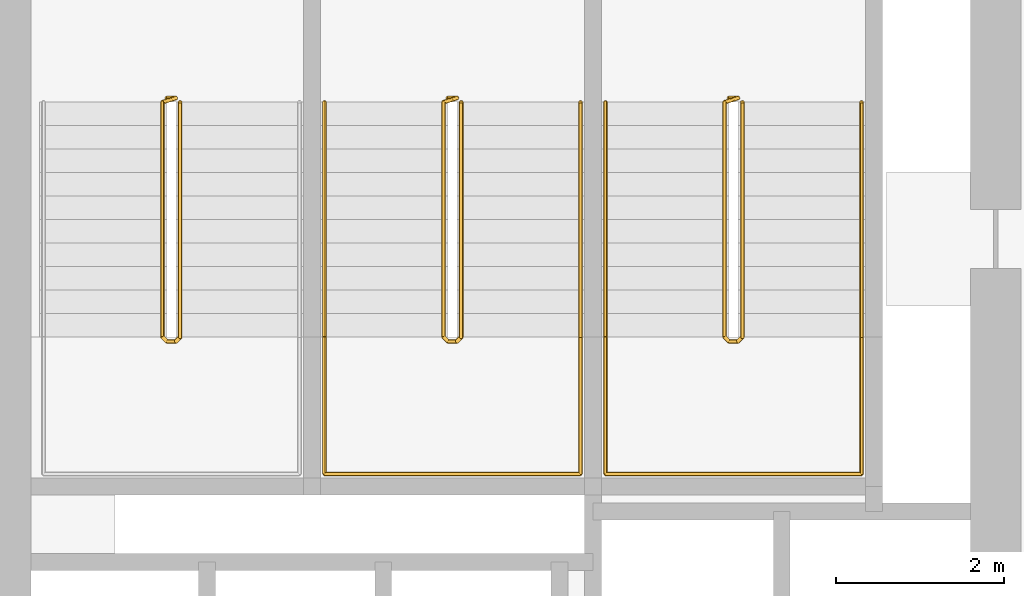
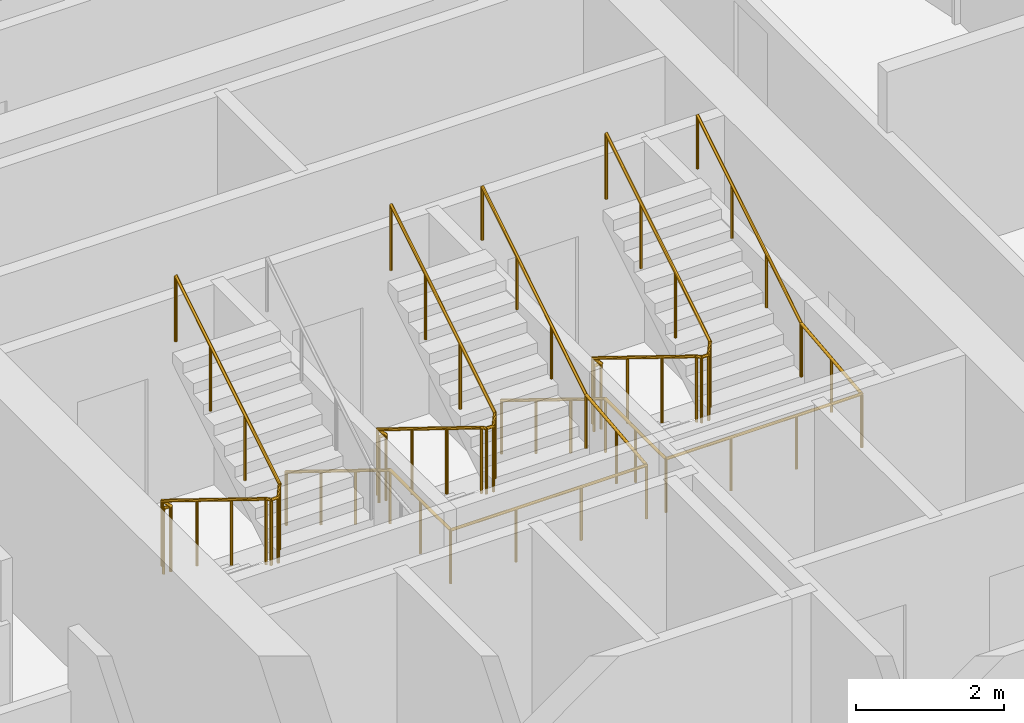
# One storey, part 20 of 20: 5 railings.
"""IFC4 building model written with IfcOpenShell, lengths in metres."""

from ifc_helpers import new_model, si_unit, direction, frame, origin, origin_2d, place, context, subcontext, project, spatial, circle, extrude, material, type_object, element, save


model = new_model("IFC4")

# Units and contexts
model_context = context("Model", 3, precision=1e-05, world=origin(), true_north=direction((0.0, 1.0)))
body_context = subcontext(model_context, "Body", "Model", "MODEL_VIEW")
ifc_project = project(units=[si_unit("LENGTHUNIT", "METRE"), si_unit("AREAUNIT", "SQUARE_METRE"), si_unit("VOLUMEUNIT", "CUBIC_METRE"), si_unit("PLANEANGLEUNIT", "RADIAN"), si_unit("MASSUNIT", "GRAM", prefix="KILO")], contexts=[model_context])

# Site, building, storey
site_placement = place(None, origin())
site = spatial("IfcSite", under=ifc_project, at=site_placement, CompositionType="ELEMENT")
building_placement = place(site_placement, origin())
building = spatial("IfcBuilding", under=site, at=building_placement, Name="Tessera Arch", CompositionType="ELEMENT")
storey_placement = place(building_placement, frame((0.0, 0.0, 119.60009765625)))
storey = spatial("IfcBuildingStorey", under=building, at=storey_placement, Name="L28", CompositionType="ELEMENT", Elevation=119.60009765625)

# Railings
ifc_material_1 = material(Name="Painted steel balustrade", Category="steel")
railing_type_1 = type_object("IfcRailingType", Name="Stair guard 1100", PredefinedType="GUARDRAIL", material=ifc_material_1)
railing_1_placement = place(storey_placement, frame((38.219970703125, 43.6298828125, 0.0)))
element("IfcRailing", 1, at=railing_1_placement, inside=storey, type_object=railing_type_1, Name="L28 S1a stair guard 1", PredefinedType="GUARDRAIL", context=body_context, shape_type="SweptSolid", body=[
    extrude(circle(Radius=0.02392578125, at=origin_2d()), frame((-0.00390625, 0.0, 1.076171875), z_axis=(1.0, 0.0, 0.0), x_axis=(0.0, 1.0, 0.0)), (0.0, 0.0, 1.0), 0.1181640625),
    extrude(circle(Radius=0.02392578125, at=origin_2d()), frame((0.11279296875, 0.000732421875, 1.0732421875), z_axis=(-0.665449600336, -0.206938595226, 0.717184249143), x_axis=(0.296948579431, -0.954893471113, 0.0)), (0.0, 0.0, 1.0), 0.248779296875),
    extrude(circle(Radius=0.02392578125, at=origin_2d()), frame((-0.050048828125, -0.04638671875, 1.24658203125), z_axis=(0.0, -0.851089632645, 0.525020415988), x_axis=(1.0, 0.0, 0.0)), (0.0, 0.0, 1.0), 3.2978515625),
    extrude(circle(Radius=0.02392578125, at=origin_2d()), frame((-0.052978515625, -2.846923828125, 2.97607421875), z_axis=(0.707106781187, -0.707106781187, 0.0), x_axis=(0.707106781187, 0.707106781187, 0.0)), (0.0, 0.0, 1.0), 0.078857421875),
    extrude(circle(Radius=0.02392578125, at=origin_2d()), frame((-0.00390625, -2.89990234375, 2.97607421875), z_axis=(1.0, 0.0, 0.0), x_axis=(0.0, 1.0, 0.0)), (0.0, 0.0, 1.0), 0.1181640625),
    extrude(circle(Radius=0.02392578125, at=origin_2d()), frame((0.109130859375, -2.90087890625, 2.97216796875), z_axis=(0.267062837333, 0.268371968888, 0.925556009775), x_axis=(-0.708833529934, 0.705375805398, 0.0)), (0.0, 0.0, 1.0), 0.194580078125),
    extrude(circle(Radius=0.02392578125, at=origin_2d()), frame((0.159912109375, -2.853271484375, 3.146484375), z_axis=(0.0, 0.851089632645, 0.525020415988), x_axis=(-1.0, 0.0, 0.0)), (0.0, 0.0, 1.0), 3.2978515625),
    extrude(circle(Radius=0.02099609375, at=origin_2d()), origin(), (0.0, 0.0, 1.0), 1.06396484375),
    extrude(circle(Radius=0.02099609375, at=origin_2d()), frame((0.110107421875, 0.0, 0.0)), (0.0, 0.0, 1.0), 1.06396484375),
    extrude(circle(Radius=0.02099609375, at=origin_2d()), frame((-0.050048828125, -0.0498046875, 0.172607421875)), (0.0, 0.0, 1.0), 1.06396484375),
    extrude(circle(Radius=0.02099609375, at=origin_2d()), frame((-0.050048828125, -0.983154296875, 0.748291015625)), (0.0, 0.0, 1.0), 1.06396484375),
    extrude(circle(Radius=0.02099609375, at=origin_2d()), frame((-0.050048828125, -1.91650390625, 1.32421875)), (0.0, 0.0, 1.0), 1.06396484375),
    extrude(circle(Radius=0.02099609375, at=origin_2d()), frame((-0.050048828125, -2.849853515625, 1.89990234375)), (0.0, 0.0, 1.0), 1.06396484375),
    extrude(circle(Radius=0.02099609375, at=origin_2d()), frame((0.0, -2.89990234375, 1.89990234375)), (0.0, 0.0, 1.0), 1.06396484375),
    extrude(circle(Radius=0.02099609375, at=origin_2d()), frame((0.110107421875, -2.89990234375, 1.89990234375)), (0.0, 0.0, 1.0), 1.06396484375),
    extrude(circle(Radius=0.02099609375, at=origin_2d()), frame((0.159912109375, -2.849853515625, 2.072509765625)), (0.0, 0.0, 1.0), 1.06396484375),
    extrude(circle(Radius=0.02099609375, at=origin_2d()), frame((0.159912109375, -1.91650390625, 2.648193359375)), (0.0, 0.0, 1.0), 1.06396484375),
    extrude(circle(Radius=0.02099609375, at=origin_2d()), frame((0.159912109375, -0.983154296875, 3.22412109375)), (0.0, 0.0, 1.0), 1.06396484375),
    extrude(circle(Radius=0.02099609375, at=origin_2d()), frame((0.159912109375, -0.0498046875, 3.7998046875)), (0.0, 0.0, 1.0), 1.06396484375),
])
railing_2_placement = place(storey_placement, frame((41.570068359375, 43.6298828125, 0.0)))
element("IfcRailing", 2, at=railing_2_placement, inside=storey, type_object=railing_type_1, Name="L28 S1b stair guard 1", PredefinedType="GUARDRAIL", context=body_context, shape_type="SweptSolid", body=[
    extrude(circle(Radius=0.02392578125, at=origin_2d()), frame((-0.00390625, 0.0, 1.076171875), z_axis=(1.0, 0.0, 0.0), x_axis=(0.0, 1.0, 0.0)), (0.0, 0.0, 1.0), 0.117919921875),
    extrude(circle(Radius=0.02392578125, at=origin_2d()), frame((0.112548828125, 0.000732421875, 1.0732421875), z_axis=(-0.664883824791, -0.207078321004, 0.717668494851), x_axis=(0.297361876254, -0.954764847777, 0.0)), (0.0, 0.0, 1.0), 0.24853515625),
    extrude(circle(Radius=0.02392578125, at=origin_2d()), frame((-0.050048828125, -0.04638671875, 1.24658203125), z_axis=(0.0, -0.851089632645, 0.525020415988), x_axis=(1.0, 0.0, 0.0)), (0.0, 0.0, 1.0), 3.2978515625),
    extrude(circle(Radius=0.02392578125, at=origin_2d()), frame((-0.052978515625, -2.846923828125, 2.97607421875), z_axis=(0.707106781187, -0.707106781187, 0.0), x_axis=(0.707106781187, 0.707106781187, 0.0)), (0.0, 0.0, 1.0), 0.078857421875),
    extrude(circle(Radius=0.02392578125, at=origin_2d()), frame((-0.00390625, -2.89990234375, 2.97607421875), z_axis=(1.0, 0.0, 0.0), x_axis=(0.0, 1.0, 0.0)), (0.0, 0.0, 1.0), 0.117919921875),
    extrude(circle(Radius=0.02392578125, at=origin_2d()), frame((0.10888671875, -2.90087890625, 2.97216796875), z_axis=(0.268277960024, 0.268277960024, 0.925231793839), x_axis=(-0.707106781187, 0.707106781187, 0.0)), (0.0, 0.0, 1.0), 0.194580078125),
    extrude(circle(Radius=0.02392578125, at=origin_2d()), frame((0.159912109375, -2.853271484375, 3.146484375), z_axis=(0.0, 0.851089632645, 0.525020415988), x_axis=(-1.0, 0.0, 0.0)), (0.0, 0.0, 1.0), 3.2978515625),
    extrude(circle(Radius=0.02099609375, at=origin_2d()), origin(), (0.0, 0.0, 1.0), 1.06396484375),
    extrude(circle(Radius=0.02099609375, at=origin_2d()), frame((0.10986328125, 0.0, 0.0)), (0.0, 0.0, 1.0), 1.06396484375),
    extrude(circle(Radius=0.02099609375, at=origin_2d()), frame((-0.050048828125, -0.0498046875, 0.172607421875)), (0.0, 0.0, 1.0), 1.06396484375),
    extrude(circle(Radius=0.02099609375, at=origin_2d()), frame((-0.050048828125, -0.983154296875, 0.748291015625)), (0.0, 0.0, 1.0), 1.06396484375),
    extrude(circle(Radius=0.02099609375, at=origin_2d()), frame((-0.050048828125, -1.91650390625, 1.32421875)), (0.0, 0.0, 1.0), 1.06396484375),
    extrude(circle(Radius=0.02099609375, at=origin_2d()), frame((-0.050048828125, -2.849853515625, 1.89990234375)), (0.0, 0.0, 1.0), 1.06396484375),
    extrude(circle(Radius=0.02099609375, at=origin_2d()), frame((0.0, -2.89990234375, 1.89990234375)), (0.0, 0.0, 1.0), 1.06396484375),
    extrude(circle(Radius=0.02099609375, at=origin_2d()), frame((0.10986328125, -2.89990234375, 1.89990234375)), (0.0, 0.0, 1.0), 1.06396484375),
    extrude(circle(Radius=0.02099609375, at=origin_2d()), frame((0.159912109375, -2.849853515625, 2.072509765625)), (0.0, 0.0, 1.0), 1.06396484375),
    extrude(circle(Radius=0.02099609375, at=origin_2d()), frame((0.159912109375, -1.91650390625, 2.648193359375)), (0.0, 0.0, 1.0), 1.06396484375),
    extrude(circle(Radius=0.02099609375, at=origin_2d()), frame((0.159912109375, -0.983154296875, 3.22412109375)), (0.0, 0.0, 1.0), 1.06396484375),
    extrude(circle(Radius=0.02099609375, at=origin_2d()), frame((0.159912109375, -0.0498046875, 3.7998046875)), (0.0, 0.0, 1.0), 1.06396484375),
])
railing_3_placement = place(storey_placement, frame((44.919921875, 43.6298828125, 0.0)))
element("IfcRailing", 3, at=railing_3_placement, inside=storey, type_object=railing_type_1, Name="L28 S1c stair guard 1", PredefinedType="GUARDRAIL", context=body_context, shape_type="SweptSolid", body=[
    extrude(circle(Radius=0.02392578125, at=origin_2d()), frame((-0.00390625, 0.0, 1.076171875), z_axis=(1.0, 0.0, 0.0), x_axis=(0.0, 1.0, 0.0)), (0.0, 0.0, 1.0), 0.1181640625),
    extrude(circle(Radius=0.02392578125, at=origin_2d()), frame((0.11279296875, 0.000732421875, 1.0732421875), z_axis=(-0.664883824791, -0.207078321004, 0.717668494851), x_axis=(0.297361876254, -0.954764847777, 0.0)), (0.0, 0.0, 1.0), 0.24853515625),
    extrude(circle(Radius=0.02392578125, at=origin_2d()), frame((-0.0498046875, -0.04638671875, 1.24658203125), z_axis=(0.0, -0.851089632645, 0.525020415988), x_axis=(1.0, 0.0, 0.0)), (0.0, 0.0, 1.0), 3.2978515625),
    extrude(circle(Radius=0.02392578125, at=origin_2d()), frame((-0.052734375, -2.846923828125, 2.97607421875), z_axis=(0.705375805398, -0.708833529934, 0.0), x_axis=(0.708833529934, 0.705375805398, 0.0)), (0.0, 0.0, 1.0), 0.07861328125),
    extrude(circle(Radius=0.02392578125, at=origin_2d()), frame((-0.00390625, -2.89990234375, 2.97607421875), z_axis=(1.0, 0.0, 0.0), x_axis=(0.0, 1.0, 0.0)), (0.0, 0.0, 1.0), 0.1181640625),
    extrude(circle(Radius=0.02392578125, at=origin_2d()), frame((0.109130859375, -2.90087890625, 2.97216796875), z_axis=(0.268277960024, 0.268277960024, 0.925231793839), x_axis=(-0.707106781187, 0.707106781187, 0.0)), (0.0, 0.0, 1.0), 0.194580078125),
    extrude(circle(Radius=0.02392578125, at=origin_2d()), frame((0.16015625, -2.853271484375, 3.146484375), z_axis=(0.0, 0.851089632645, 0.525020415988), x_axis=(-1.0, 0.0, 0.0)), (0.0, 0.0, 1.0), 3.2978515625),
    extrude(circle(Radius=0.02099609375, at=origin_2d()), origin(), (0.0, 0.0, 1.0), 1.06396484375),
    extrude(circle(Radius=0.02099609375, at=origin_2d()), frame((0.110107421875, 0.0, 0.0)), (0.0, 0.0, 1.0), 1.06396484375),
    extrude(circle(Radius=0.02099609375, at=origin_2d()), frame((-0.0498046875, -0.0498046875, 0.172607421875)), (0.0, 0.0, 1.0), 1.06396484375),
    extrude(circle(Radius=0.02099609375, at=origin_2d()), frame((-0.0498046875, -0.983154296875, 0.748291015625)), (0.0, 0.0, 1.0), 1.06396484375),
    extrude(circle(Radius=0.02099609375, at=origin_2d()), frame((-0.0498046875, -1.91650390625, 1.32421875)), (0.0, 0.0, 1.0), 1.06396484375),
    extrude(circle(Radius=0.02099609375, at=origin_2d()), frame((-0.0498046875, -2.849853515625, 1.89990234375)), (0.0, 0.0, 1.0), 1.06396484375),
    extrude(circle(Radius=0.02099609375, at=origin_2d()), frame((0.0, -2.89990234375, 1.89990234375)), (0.0, 0.0, 1.0), 1.06396484375),
    extrude(circle(Radius=0.02099609375, at=origin_2d()), frame((0.110107421875, -2.89990234375, 1.89990234375)), (0.0, 0.0, 1.0), 1.06396484375),
    extrude(circle(Radius=0.02099609375, at=origin_2d()), frame((0.16015625, -2.849853515625, 2.072509765625)), (0.0, 0.0, 1.0), 1.06396484375),
    extrude(circle(Radius=0.02099609375, at=origin_2d()), frame((0.16015625, -1.91650390625, 2.648193359375)), (0.0, 0.0, 1.0), 1.06396484375),
    extrude(circle(Radius=0.02099609375, at=origin_2d()), frame((0.16015625, -0.983154296875, 3.22412109375)), (0.0, 0.0, 1.0), 1.06396484375),
    extrude(circle(Radius=0.02099609375, at=origin_2d()), frame((0.16015625, -0.0498046875, 3.7998046875)), (0.0, 0.0, 1.0), 1.06396484375),
])
ifc_material_2 = material(Name="Painted steel handrail", Category="steel")
railing_type_2 = type_object("IfcRailingType", Name="Stair handrail 900", PredefinedType="HANDRAIL", material=ifc_material_2)
railing_4_placement = place(storey_placement, frame((40.10009765625, 43.580078125, 0.172607421875)))
element("IfcRailing", 4, at=railing_4_placement, inside=storey, type_object=railing_type_2, Name="L28 S1b stair handrail", PredefinedType="HANDRAIL", context=body_context, shape_type="SweptSolid", body=[
    extrude(circle(Radius=0.02392578125, at=origin_2d()), frame((0.0, 0.00341796875, 0.873779296875), z_axis=(0.0, -0.851089632645, 0.525020415988), x_axis=(1.0, 0.0, 0.0)), (0.0, 0.0, 1.0), 3.2978515625),
    extrude(circle(Radius=0.02392578125, at=origin_2d()), frame((0.0, -2.796142578125, 2.60302734375), z_axis=(0.0, -1.0, 0.0), x_axis=(1.0, 0.0, 0.0)), (0.0, 0.0, 1.0), 1.63818359375),
    extrude(circle(Radius=0.02392578125, at=origin_2d()), frame((-0.00390625, -4.43017578125, 2.60302734375), z_axis=(1.0, 0.0, 0.0), x_axis=(0.0, 1.0, 0.0)), (0.0, 0.0, 1.0), 3.057861328125),
    extrude(circle(Radius=0.02392578125, at=origin_2d()), frame((3.0498046875, -4.43408203125, 2.602783203125), z_axis=(0.0, 0.994440793715, 0.105297235459), x_axis=(-1.0, 0.0, 0.0)), (0.0, 0.0, 1.0), 1.647216796875),
    extrude(circle(Radius=0.02392578125, at=origin_2d()), frame((3.0498046875, -2.803466796875, 2.773681640625), z_axis=(0.0, 0.851089632645, 0.525020415988), x_axis=(-1.0, 0.0, 0.0)), (0.0, 0.0, 1.0), 3.2978515625),
    extrude(circle(Radius=0.02099609375, at=origin_2d()), origin(), (0.0, 0.0, 1.0), 0.86376953125),
    extrude(circle(Radius=0.02099609375, at=origin_2d()), frame((0.0, -0.933349609375, 0.57568359375)), (0.0, 0.0, 1.0), 0.86376953125),
    extrude(circle(Radius=0.02099609375, at=origin_2d()), frame((0.0, -1.86669921875, 1.151611328125)), (0.0, 0.0, 1.0), 0.86376953125),
    extrude(circle(Radius=0.02099609375, at=origin_2d()), frame((0.0, -2.800048828125, 1.727294921875)), (0.0, 0.0, 1.0), 0.86376953125),
    extrude(circle(Radius=0.02099609375, at=origin_2d()), frame((0.0, -3.615234375, 1.727294921875)), (0.0, 0.0, 1.0), 0.86376953125),
    extrude(circle(Radius=0.02099609375, at=origin_2d()), frame((0.0, -4.43017578125, 1.727294921875)), (0.0, 0.0, 1.0), 0.86376953125),
    extrude(circle(Radius=0.02099609375, at=origin_2d()), frame((1.0166015625, -4.43017578125, 1.727294921875)), (0.0, 0.0, 1.0), 0.86376953125),
    extrude(circle(Radius=0.02099609375, at=origin_2d()), frame((2.033203125, -4.43017578125, 1.727294921875)), (0.0, 0.0, 1.0), 0.86376953125),
    extrude(circle(Radius=0.02099609375, at=origin_2d()), frame((3.0498046875, -4.43017578125, 1.727294921875)), (0.0, 0.0, 1.0), 0.86376953125),
    extrude(circle(Radius=0.02099609375, at=origin_2d()), frame((3.0498046875, -3.615234375, 1.8134765625)), (0.0, 0.0, 1.0), 0.86376953125),
    extrude(circle(Radius=0.02099609375, at=origin_2d()), frame((3.0498046875, -2.800048828125, 1.89990234375)), (0.0, 0.0, 1.0), 0.86376953125),
    extrude(circle(Radius=0.02099609375, at=origin_2d()), frame((3.0498046875, -1.86669921875, 2.4755859375)), (0.0, 0.0, 1.0), 0.86376953125),
    extrude(circle(Radius=0.02099609375, at=origin_2d()), frame((3.0498046875, -0.933349609375, 3.051513671875)), (0.0, 0.0, 1.0), 0.86376953125),
    extrude(circle(Radius=0.02099609375, at=origin_2d()), frame((3.0498046875, 0.0, 3.627197265625)), (0.0, 0.0, 1.0), 0.86376953125),
])
railing_5_placement = place(storey_placement, frame((43.449951171875, 43.580078125, 0.172607421875)))
element("IfcRailing", 5, at=railing_5_placement, inside=storey, type_object=railing_type_2, Name="L28 S1c stair handrail", PredefinedType="HANDRAIL", context=body_context, shape_type="SweptSolid", body=[
    extrude(circle(Radius=0.02392578125, at=origin_2d()), frame((0.0, 0.00341796875, 0.873779296875), z_axis=(0.0, -0.851089632645, 0.525020415988), x_axis=(1.0, 0.0, 0.0)), (0.0, 0.0, 1.0), 3.2978515625),
    extrude(circle(Radius=0.02392578125, at=origin_2d()), frame((0.0, -2.796142578125, 2.60302734375), z_axis=(0.0, -1.0, 0.0), x_axis=(1.0, 0.0, 0.0)), (0.0, 0.0, 1.0), 1.63818359375),
    extrude(circle(Radius=0.02392578125, at=origin_2d()), frame((-0.00390625, -4.43017578125, 2.60302734375), z_axis=(1.0, 0.0, 0.0), x_axis=(0.0, 1.0, 0.0)), (0.0, 0.0, 1.0), 3.05810546875),
    extrude(circle(Radius=0.02392578125, at=origin_2d()), frame((3.050048828125, -4.43408203125, 2.602783203125), z_axis=(0.0, 0.994440793715, 0.105297235459), x_axis=(-1.0, 0.0, 0.0)), (0.0, 0.0, 1.0), 1.647216796875),
    extrude(circle(Radius=0.02392578125, at=origin_2d()), frame((3.050048828125, -2.803466796875, 2.773681640625), z_axis=(0.0, 0.851089632645, 0.525020415988), x_axis=(-1.0, 0.0, 0.0)), (0.0, 0.0, 1.0), 3.2978515625),
    extrude(circle(Radius=0.02099609375, at=origin_2d()), origin(), (0.0, 0.0, 1.0), 0.86376953125),
    extrude(circle(Radius=0.02099609375, at=origin_2d()), frame((0.0, -0.933349609375, 0.57568359375)), (0.0, 0.0, 1.0), 0.86376953125),
    extrude(circle(Radius=0.02099609375, at=origin_2d()), frame((0.0, -1.86669921875, 1.151611328125)), (0.0, 0.0, 1.0), 0.86376953125),
    extrude(circle(Radius=0.02099609375, at=origin_2d()), frame((0.0, -2.800048828125, 1.727294921875)), (0.0, 0.0, 1.0), 0.86376953125),
    extrude(circle(Radius=0.02099609375, at=origin_2d()), frame((0.0, -3.615234375, 1.727294921875)), (0.0, 0.0, 1.0), 0.86376953125),
    extrude(circle(Radius=0.02099609375, at=origin_2d()), frame((0.0, -4.43017578125, 1.727294921875)), (0.0, 0.0, 1.0), 0.86376953125),
    extrude(circle(Radius=0.02099609375, at=origin_2d()), frame((1.0166015625, -4.43017578125, 1.727294921875)), (0.0, 0.0, 1.0), 0.86376953125),
    extrude(circle(Radius=0.02099609375, at=origin_2d()), frame((2.033447265625, -4.43017578125, 1.727294921875)), (0.0, 0.0, 1.0), 0.86376953125),
    extrude(circle(Radius=0.02099609375, at=origin_2d()), frame((3.050048828125, -4.43017578125, 1.727294921875)), (0.0, 0.0, 1.0), 0.86376953125),
    extrude(circle(Radius=0.02099609375, at=origin_2d()), frame((3.050048828125, -3.615234375, 1.8134765625)), (0.0, 0.0, 1.0), 0.86376953125),
    extrude(circle(Radius=0.02099609375, at=origin_2d()), frame((3.050048828125, -2.800048828125, 1.89990234375)), (0.0, 0.0, 1.0), 0.86376953125),
    extrude(circle(Radius=0.02099609375, at=origin_2d()), frame((3.050048828125, -1.86669921875, 2.4755859375)), (0.0, 0.0, 1.0), 0.86376953125),
    extrude(circle(Radius=0.02099609375, at=origin_2d()), frame((3.050048828125, -0.933349609375, 3.051513671875)), (0.0, 0.0, 1.0), 0.86376953125),
    extrude(circle(Radius=0.02099609375, at=origin_2d()), frame((3.050048828125, 0.0, 3.627197265625)), (0.0, 0.0, 1.0), 0.86376953125),
])

save(model, "model.ifc")
